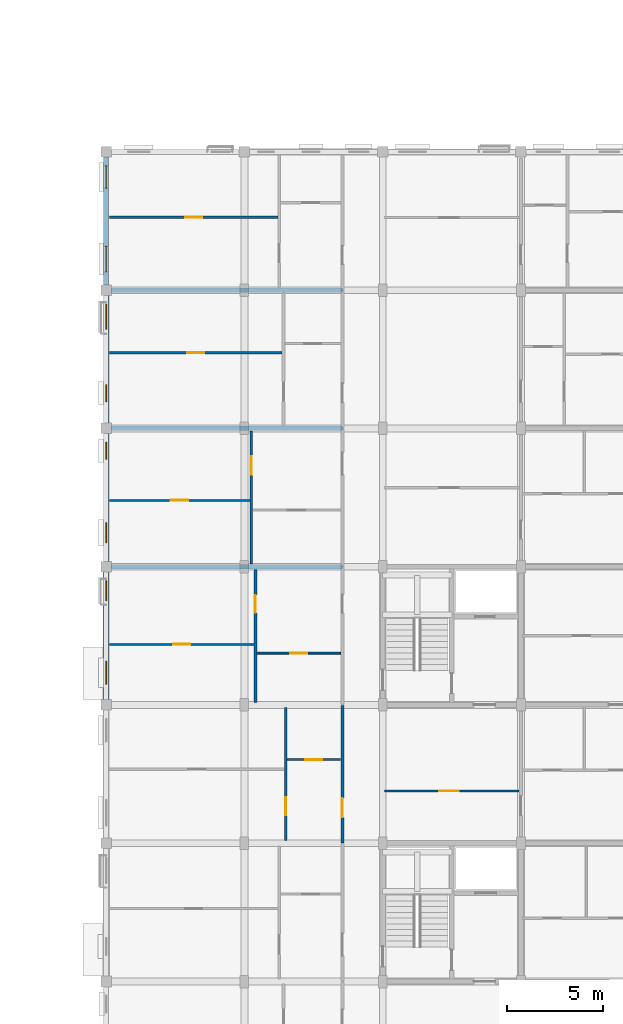
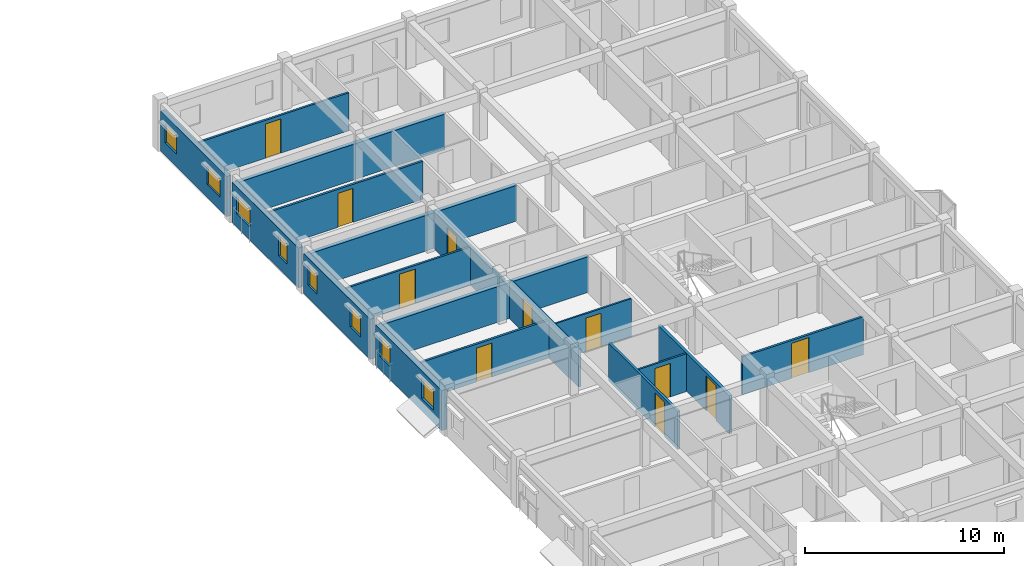
# One storey, part 56 of 75: 18 walls, 11 doors, 8 windows, 19 openings.
"""IFC4 building model written with IfcOpenShell, lengths in metres."""

from ifc_helpers import new_model, si_unit, direction, frame, frame_2d, origin, place, context, subcontext, project, spatial, rectangle, extrude, material, layer, layer_set, type_object, element, fill, save


model = new_model("IFC4")

# Units and contexts
model_context = context("Model", 3, precision=1e-05, world=origin(), true_north=direction((0.0, 1.0)))
body_context = subcontext(model_context, "Body", "Model", "MODEL_VIEW")
ifc_project = project(units=[si_unit("LENGTHUNIT", "METRE"), si_unit("AREAUNIT", "SQUARE_METRE"), si_unit("VOLUMEUNIT", "CUBIC_METRE"), si_unit("PLANEANGLEUNIT", "RADIAN"), si_unit("MASSUNIT", "GRAM", prefix="KILO"), si_unit("THERMODYNAMICTEMPERATUREUNIT", "KELVIN"), si_unit("POWERUNIT", "WATT")], contexts=[model_context])

# Site, building, storey
site_placement = place(None, origin())
site = spatial("IfcSite", under=ifc_project, at=site_placement, CompositionType="ELEMENT")
building_placement = place(site_placement, origin())
building = spatial("IfcBuilding", under=site, at=building_placement, Name="Tavuni Mirador Residences", CompositionType="ELEMENT")
storey_placement = place(building_placement, frame((0.0, 0.0, 20.25)))
storey = spatial("IfcBuildingStorey", under=building, at=storey_placement, Name="L06", CompositionType="ELEMENT", Elevation=20.25)

# Wall, opening, door
ifc_material_1 = material(Name="Precast concrete C40/50", Category="concrete")
ifc_layer_1 = layer(ifc_material_1, 0.1650390625, Name="Precast concrete C40/50", Category="concrete")
ifc_layer_set_1 = layer_set([ifc_layer_1], Name="Precast concrete C40/50")
wall_type_1 = type_object("IfcWallType", Name="WT-CORR165", PredefinedType="PARTITIONING", material=ifc_layer_set_1)
wall_1_placement = place(storey_placement, frame((102.300048828125, 100.820068359375, 0.0), z_axis=(0.0, 0.0, 1.0), x_axis=(0.0, 1.0, 0.0)))
wall_1 = element("IfcWall", 1, at=wall_1_placement, inside=storey, type_object=wall_type_1, Name="CORW-BLK-D-L06-0-02", PredefinedType="PARTITIONING", context=body_context, shape_type="SweptSolid", body=[
    extrude(rectangle(XDim=7.159912109375, YDim=0.1650390625, at=frame_2d((3.580078125, 0.0))), origin(), (0.0, 0.0, 1.0), 2.324951171875),
])
opening_1_placement = place(wall_1_placement, frame((1.330078125, 0.0, 0.0)))
opening_1 = element("IfcOpeningElement", 2, at=opening_1_placement, cuts=wall_1, Name="Opening D-03", PredefinedType="OPENING", context=body_context, shape_type="SweptSolid", body=[
    extrude(rectangle(XDim=1.0, YDim=2.14990234375, at=frame_2d((0.5, 1.074951171875))), frame((0.0, 0.092529296875, 0.0), z_axis=(0.0, -1.0, 0.0), x_axis=(1.0, 0.0, 0.0)), (0.0, 0.0, 1.0), 0.18505859375),
])
ifc_material_2 = material(Name="Solid core iroko timber", Category="wood")
door_type_1 = type_object("IfcDoorType", Name="DT-FD60-1000", OperationType="NOTDEFINED", PredefinedType="DOOR", material=ifc_material_2)
door_1_placement = place(opening_1_placement, origin())
door_1 = element("IfcDoor", 3, at=door_1_placement, inside=storey, type_object=door_type_1, Name="DR-2883", OperationType="SINGLE_SWING_RIGHT", OverallHeight=2.14990234375, OverallWidth=1.0, PredefinedType="DOOR", context=body_context, shape_type="SweptSolid", body=[
    extrude(rectangle(XDim=1.0, YDim=2.14990234375, at=frame_2d((0.5, 1.074951171875))), frame((0.0, 0.02490234375, 0.0), z_axis=(0.0, -1.0, 0.0), x_axis=(1.0, 0.0, 0.0)), (0.0, 0.0, 1.0), 0.050048828125),
])
fill(opening_1, door_1)

# Wall, openings, windows
ifc_material_3 = material(Name="Sgraffito lime-rendered precast concrete C40/50", Category="concrete")
ifc_layer_2 = layer(ifc_material_3, 0.2548828125, Name="Sgraffito lime-rendered precast concrete C40/50", Category="concrete")
ifc_layer_set_2 = layer_set([ifc_layer_2], Name="Sgraffito lime-rendered precast concrete C40/50")
wall_type_2 = type_object("IfcWallType", Name="WT-EXT-PC255", PredefinedType="SOLIDWALL", material=ifc_layer_set_2)
wall_2_placement = place(storey_placement, frame((90.0, 136.52490234375, 0.0), z_axis=(0.0, 0.0, 1.0), x_axis=(0.0, -1.0, 0.0)))
wall_2 = element("IfcWall", 4, at=wall_2_placement, inside=storey, type_object=wall_type_2, Name="EW-BLK-D-L06-W06", PredefinedType="SOLIDWALL", context=body_context, shape_type="SweptSolid", body=[
    extrude(rectangle(XDim=6.64990234375, YDim=0.2548828125, at=frame_2d((3.324951171875, 0.0))), origin(), (0.0, 0.0, 1.0), 2.4599609375),
])
opening_2_placement = place(wall_2_placement, frame((0.449951171875, 0.0, 0.780029296875)))
opening_2 = element("IfcOpeningElement", 5, at=opening_2_placement, cuts=wall_2, Name="Opening WN-05", PredefinedType="OPENING", context=body_context, shape_type="SweptSolid", body=[
    extrude(rectangle(XDim=1.159912109375, YDim=1.14990234375, at=frame_2d((0.580078125, 0.574951171875))), frame((0.0, 0.137451171875, 0.0), z_axis=(0.0, -1.0, 0.0), x_axis=(1.0, 0.0, 0.0)), (0.0, 0.0, 1.0), 0.27490234375),
])
opening_3_placement = place(wall_2_placement, frame((4.64990234375, 0.0, 0.780029296875)))
opening_3 = element("IfcOpeningElement", 6, at=opening_3_placement, cuts=wall_2, Name="Opening WN-07", PredefinedType="OPENING", context=body_context, shape_type="SweptSolid", body=[
    extrude(rectangle(XDim=1.320068359375, YDim=1.14990234375, at=frame_2d((0.66015625, 0.574951171875))), frame((0.0, 0.137451171875, 0.0), z_axis=(0.0, -1.0, 0.0), x_axis=(1.0, 0.0, 0.0)), (0.0, 0.0, 1.0), 0.27490234375),
])
ifc_material_4 = material(Name="Laminated solar-control glass", Category="glass")
window_type_1 = type_object("IfcWindowType", Name="WNT-05", PartitioningType="SINGLE_PANEL", PredefinedType="WINDOW", material=ifc_material_4)
window_1_placement = place(opening_2_placement, origin())
window_1 = element("IfcWindow", 7, at=window_1_placement, inside=storey, type_object=window_type_1, Name="WIN-1678", OverallHeight=1.14990234375, OverallWidth=1.159912109375, PartitioningType="SINGLE_PANEL", PredefinedType="WINDOW", context=body_context, shape_type="SweptSolid", body=[
    extrude(rectangle(XDim=1.159912109375, YDim=1.14990234375, at=frame_2d((0.580078125, 0.574951171875))), frame((0.0, 0.030029296875, 0.0), z_axis=(0.0, -1.0, 0.0), x_axis=(1.0, 0.0, 0.0)), (0.0, 0.0, 1.0), 0.06005859375),
])
fill(opening_2, window_1)
window_type_2 = type_object("IfcWindowType", Name="WNT-07", PartitioningType="SINGLE_PANEL", PredefinedType="WINDOW", material=ifc_material_4)
window_2_placement = place(opening_3_placement, origin())
window_2 = element("IfcWindow", 8, at=window_2_placement, inside=storey, type_object=window_type_2, Name="WIN-1679", OverallHeight=1.14990234375, OverallWidth=1.320068359375, PartitioningType="SINGLE_PANEL", PredefinedType="WINDOW", context=body_context, shape_type="SweptSolid", body=[
    extrude(rectangle(XDim=1.320068359375, YDim=1.14990234375, at=frame_2d((0.66015625, 0.574951171875))), frame((0.0, 0.030029296875, 0.0), z_axis=(0.0, -1.0, 0.0), x_axis=(1.0, 0.0, 0.0)), (0.0, 0.0, 1.0), 0.06005859375),
])
fill(opening_3, window_2)

ifc_layer_3 = layer(ifc_material_3, 0.27490234375, Name="Sgraffito lime-rendered precast concrete C40/50", Category="concrete")
ifc_layer_set_3 = layer_set([ifc_layer_3], Name="Sgraffito lime-rendered precast concrete C40/50")
wall_type_3 = type_object("IfcWallType", Name="WT-EXT-PC275", PredefinedType="SOLIDWALL", material=ifc_layer_set_3)
wall_3_placement = place(storey_placement, frame((90.0, 129.324951171875, 0.0), z_axis=(0.0, 0.0, 1.0), x_axis=(0.0, -1.0, 0.0)))
wall_3 = element("IfcWall", 9, at=wall_3_placement, inside=storey, type_object=wall_type_3, Name="EW-BLK-D-L06-W05", PredefinedType="SOLIDWALL", context=body_context, shape_type="SweptSolid", body=[
    extrude(rectangle(XDim=6.64990234375, YDim=0.27490234375, at=frame_2d((3.324951171875, 0.0))), origin(), (0.0, 0.0, 1.0), 2.4599609375),
])
opening_4_placement = place(wall_3_placement, frame((0.449951171875, 0.0, 0.780029296875)))
opening_4 = element("IfcOpeningElement", 10, at=opening_4_placement, cuts=wall_3, Name="Opening WN-07", PredefinedType="OPENING", context=body_context, shape_type="SweptSolid", body=[
    extrude(rectangle(XDim=1.320068359375, YDim=1.14990234375, at=frame_2d((0.66015625, 0.574951171875))), frame((0.0, 0.1474609375, 0.0), z_axis=(0.0, -1.0, 0.0), x_axis=(1.0, 0.0, 0.0)), (0.0, 0.0, 1.0), 0.294921875),
])
opening_5_placement = place(wall_3_placement, frame((4.64990234375, 0.0, 0.780029296875)))
opening_5 = element("IfcOpeningElement", 11, at=opening_5_placement, cuts=wall_3, Name="Opening WN-09", PredefinedType="OPENING", context=body_context, shape_type="SweptSolid", body=[
    extrude(rectangle(XDim=0.8798828125, YDim=1.260009765625, at=frame_2d((0.43994140625, 0.6298828125))), frame((0.0, 0.1474609375, 0.0), z_axis=(0.0, -1.0, 0.0), x_axis=(1.0, 0.0, 0.0)), (0.0, 0.0, 1.0), 0.294921875),
])
window_3_placement = place(opening_4_placement, origin())
window_3 = element("IfcWindow", 12, at=window_3_placement, inside=storey, type_object=window_type_2, Name="WIN-1680", OverallHeight=1.14990234375, OverallWidth=1.320068359375, PartitioningType="SINGLE_PANEL", PredefinedType="WINDOW", context=body_context, shape_type="SweptSolid", body=[
    extrude(rectangle(XDim=1.320068359375, YDim=1.14990234375, at=frame_2d((0.66015625, 0.574951171875))), frame((0.0, 0.030029296875, 0.0), z_axis=(0.0, -1.0, 0.0), x_axis=(1.0, 0.0, 0.0)), (0.0, 0.0, 1.0), 0.06005859375),
])
fill(opening_4, window_3)
window_type_3 = type_object("IfcWindowType", Name="WNT-09", PartitioningType="SINGLE_PANEL", PredefinedType="WINDOW", material=ifc_material_4)
window_4_placement = place(opening_5_placement, origin())
window_4 = element("IfcWindow", 13, at=window_4_placement, inside=storey, type_object=window_type_3, Name="WIN-1681", OverallHeight=1.260009765625, OverallWidth=0.8798828125, PartitioningType="SINGLE_PANEL", PredefinedType="WINDOW", context=body_context, shape_type="SweptSolid", body=[
    extrude(rectangle(XDim=0.8798828125, YDim=1.260009765625, at=frame_2d((0.43994140625, 0.6298828125))), frame((0.0, 0.030029296875, 0.0), z_axis=(0.0, -1.0, 0.0), x_axis=(1.0, 0.0, 0.0)), (0.0, 0.0, 1.0), 0.06005859375),
])
fill(opening_5, window_4)

ifc_layer_4 = layer(ifc_material_3, 0.2900390625, Name="Sgraffito lime-rendered precast concrete C40/50", Category="concrete")
ifc_layer_set_4 = layer_set([ifc_layer_4], Name="Sgraffito lime-rendered precast concrete C40/50")
wall_type_4 = type_object("IfcWallType", Name="WT-EXT-PC290", PredefinedType="SOLIDWALL", material=ifc_layer_set_4)
wall_4_placement = place(storey_placement, frame((90.0, 122.125, 0.0), z_axis=(0.0, 0.0, 1.0), x_axis=(0.0, -1.0, 0.0)))
wall_4 = element("IfcWall", 14, at=wall_4_placement, inside=storey, type_object=wall_type_4, Name="EW-BLK-D-L06-W04", PredefinedType="SOLIDWALL", context=body_context, shape_type="SweptSolid", body=[
    extrude(rectangle(XDim=6.64990234375, YDim=0.2900390625, at=frame_2d((3.324951171875, 0.0))), origin(), (0.0, 0.0, 1.0), 2.4599609375),
])
opening_6_placement = place(wall_4_placement, frame((0.449951171875, 0.0, 0.780029296875)))
opening_6 = element("IfcOpeningElement", 15, at=opening_6_placement, cuts=wall_4, Name="Opening WN-09", PredefinedType="OPENING", context=body_context, shape_type="SweptSolid", body=[
    extrude(rectangle(XDim=0.8798828125, YDim=1.260009765625, at=frame_2d((0.43994140625, 0.6298828125))), frame((0.0, 0.155029296875, 0.0), z_axis=(0.0, -1.0, 0.0), x_axis=(1.0, 0.0, 0.0)), (0.0, 0.0, 1.0), 0.31005859375),
])
opening_7_placement = place(wall_4_placement, frame((4.64990234375, 0.0, 0.780029296875)))
opening_7 = element("IfcOpeningElement", 16, at=opening_7_placement, cuts=wall_4, Name="Opening WN-11", PredefinedType="OPENING", context=body_context, shape_type="SweptSolid", body=[
    extrude(rectangle(XDim=1.0400390625, YDim=1.260009765625, at=frame_2d((0.52001953125, 0.6298828125))), frame((0.0, 0.155029296875, 0.0), z_axis=(0.0, -1.0, 0.0), x_axis=(1.0, 0.0, 0.0)), (0.0, 0.0, 1.0), 0.31005859375),
])
window_5_placement = place(opening_6_placement, origin())
window_5 = element("IfcWindow", 17, at=window_5_placement, inside=storey, type_object=window_type_3, Name="WIN-1682", OverallHeight=1.260009765625, OverallWidth=0.8798828125, PartitioningType="SINGLE_PANEL", PredefinedType="WINDOW", context=body_context, shape_type="SweptSolid", body=[
    extrude(rectangle(XDim=0.8798828125, YDim=1.260009765625, at=frame_2d((0.43994140625, 0.6298828125))), frame((0.0, 0.030029296875, 0.0), z_axis=(0.0, -1.0, 0.0), x_axis=(1.0, 0.0, 0.0)), (0.0, 0.0, 1.0), 0.06005859375),
])
fill(opening_6, window_5)
window_type_4 = type_object("IfcWindowType", Name="WNT-11", PartitioningType="SINGLE_PANEL", PredefinedType="WINDOW", material=ifc_material_4)
window_6_placement = place(opening_7_placement, origin())
window_6 = element("IfcWindow", 18, at=window_6_placement, inside=storey, type_object=window_type_4, Name="WIN-1683", OverallHeight=1.260009765625, OverallWidth=1.0400390625, PartitioningType="SINGLE_PANEL", PredefinedType="WINDOW", context=body_context, shape_type="SweptSolid", body=[
    extrude(rectangle(XDim=1.0400390625, YDim=1.260009765625, at=frame_2d((0.52001953125, 0.6298828125))), frame((0.0, 0.030029296875, 0.0), z_axis=(0.0, -1.0, 0.0), x_axis=(1.0, 0.0, 0.0)), (0.0, 0.0, 1.0), 0.06005859375),
])
fill(opening_7, window_6)

ifc_layer_5 = layer(ifc_material_3, 0.304931640625, Name="Sgraffito lime-rendered precast concrete C40/50", Category="concrete")
ifc_layer_set_5 = layer_set([ifc_layer_5], Name="Sgraffito lime-rendered precast concrete C40/50")
wall_type_5 = type_object("IfcWallType", Name="WT-EXT-PC305", PredefinedType="SOLIDWALL", material=ifc_layer_set_5)
wall_5_placement = place(storey_placement, frame((90.0, 114.925048828125, 0.0), z_axis=(0.0, 0.0, 1.0), x_axis=(0.0, -1.0, 0.0)))
wall_5 = element("IfcWall", 19, at=wall_5_placement, inside=storey, type_object=wall_type_5, Name="EW-BLK-D-L06-W03", PredefinedType="SOLIDWALL", context=body_context, shape_type="SweptSolid", body=[
    extrude(rectangle(XDim=6.650146484375, YDim=0.304931640625, at=frame_2d((3.3251953125, 0.0))), origin(), (0.0, 0.0, 1.0), 2.4599609375),
])
opening_8_placement = place(wall_5_placement, frame((0.449951171875, 0.0, 0.780029296875)))
opening_8 = element("IfcOpeningElement", 20, at=opening_8_placement, cuts=wall_5, Name="Opening WN-11", PredefinedType="OPENING", context=body_context, shape_type="SweptSolid", body=[
    extrude(rectangle(XDim=1.0400390625, YDim=1.260009765625, at=frame_2d((0.52001953125, 0.6298828125))), frame((0.0, 0.16259765625, 0.0), z_axis=(0.0, -1.0, 0.0), x_axis=(1.0, 0.0, 0.0)), (0.0, 0.0, 1.0), 0.324951171875),
])
opening_9_placement = place(wall_5_placement, frame((4.64990234375, 0.0, 0.780029296875)))
opening_9 = element("IfcOpeningElement", 21, at=opening_9_placement, cuts=wall_5, Name="Opening WN-13", PredefinedType="OPENING", context=body_context, shape_type="SweptSolid", body=[
    extrude(rectangle(XDim=1.199951171875, YDim=1.260009765625, at=frame_2d((0.60009765625, 0.6298828125))), frame((0.0, 0.16259765625, 0.0), z_axis=(0.0, -1.0, 0.0), x_axis=(1.0, 0.0, 0.0)), (0.0, 0.0, 1.0), 0.324951171875),
])
window_7_placement = place(opening_8_placement, origin())
window_7 = element("IfcWindow", 22, at=window_7_placement, inside=storey, type_object=window_type_4, Name="WIN-1684", OverallHeight=1.260009765625, OverallWidth=1.0400390625, PartitioningType="SINGLE_PANEL", PredefinedType="WINDOW", context=body_context, shape_type="SweptSolid", body=[
    extrude(rectangle(XDim=1.0400390625, YDim=1.260009765625, at=frame_2d((0.52001953125, 0.6298828125))), frame((0.0, 0.030029296875, 0.0), z_axis=(0.0, -1.0, 0.0), x_axis=(1.0, 0.0, 0.0)), (0.0, 0.0, 1.0), 0.06005859375),
])
fill(opening_8, window_7)
window_type_5 = type_object("IfcWindowType", Name="WNT-13", PartitioningType="SINGLE_PANEL", PredefinedType="WINDOW", material=ifc_material_4)
window_8_placement = place(opening_9_placement, origin())
window_8 = element("IfcWindow", 23, at=window_8_placement, inside=storey, type_object=window_type_5, Name="WIN-1685", OverallHeight=1.260009765625, OverallWidth=1.199951171875, PartitioningType="SINGLE_PANEL", PredefinedType="WINDOW", context=body_context, shape_type="SweptSolid", body=[
    extrude(rectangle(XDim=1.199951171875, YDim=1.260009765625, at=frame_2d((0.60009765625, 0.6298828125))), frame((0.0, 0.030029296875, 0.0), z_axis=(0.0, -1.0, 0.0), x_axis=(1.0, 0.0, 0.0)), (0.0, 0.0, 1.0), 0.06005859375),
])
fill(opening_9, window_8)

# Wall, opening, door
ifc_material_5 = material(Name="Acoustic gypsum and concrete block partition", Category="concrete")
ifc_layer_6 = layer(ifc_material_5, 0.094970703125, Name="Acoustic gypsum and concrete block partition", Category="concrete")
ifc_layer_set_6 = layer_set([ifc_layer_6], Name="Acoustic gypsum and concrete block partition")
wall_type_6 = type_object("IfcWallType", Name="WT-PART095", PredefinedType="PARTITIONING", material=ifc_layer_set_6)
wall_6_placement = place(storey_placement, frame((97.840087890625, 110.699951171875, 0.0), z_axis=(0.0, 0.0, 1.0), x_axis=(1.0, 0.0, 0.0)))
wall_6 = element("IfcWall", 24, at=wall_6_placement, inside=storey, type_object=wall_type_6, Name="PW-BLK-D-L06-W03-IN1", PredefinedType="PARTITIONING", context=body_context, shape_type="SweptSolid", body=[
    extrude(rectangle(XDim=4.369873046875, YDim=0.094970703125, at=frame_2d((2.18505859375, 0.0))), origin(), (0.0, 0.0, 1.0), 2.324951171875),
])
opening_10_placement = place(wall_6_placement, frame((1.75, 0.0, 0.0)))
opening_10 = element("IfcOpeningElement", 25, at=opening_10_placement, cuts=wall_6, Name="Opening D-10", PredefinedType="OPENING", context=body_context, shape_type="SweptSolid", body=[
    extrude(rectangle(XDim=0.8701171875, YDim=2.050048828125, at=frame_2d((0.43505859375, 1.02490234375))), frame((0.0, 0.0576171875, 0.0), z_axis=(0.0, -1.0, 0.0), x_axis=(1.0, 0.0, 0.0)), (0.0, 0.0, 1.0), 0.114990234375),
])
door_type_2 = type_object("IfcDoorType", Name="DT-WC870", OperationType="NOTDEFINED", PredefinedType="DOOR", material=ifc_material_2)
door_2_placement = place(opening_10_placement, origin())
door_2 = element("IfcDoor", 26, at=door_2_placement, inside=storey, type_object=door_type_2, Name="DR-4528", OperationType="SINGLE_SWING_LEFT", OverallHeight=2.050048828125, OverallWidth=0.8701171875, PredefinedType="DOOR", context=body_context, shape_type="SweptSolid", body=[
    extrude(rectangle(XDim=0.8701171875, YDim=2.050048828125, at=frame_2d((0.43505859375, 1.02490234375))), frame((0.0, 0.02490234375, 0.0), z_axis=(0.0, -1.0, 0.0), x_axis=(1.0, 0.0, 0.0)), (0.0, 0.0, 1.0), 0.050048828125),
])
fill(opening_10, door_2)

ifc_layer_7 = layer(ifc_material_5, 0.10498046875, Name="Acoustic gypsum and concrete block partition", Category="concrete")
ifc_layer_set_7 = layer_set([ifc_layer_7], Name="Acoustic gypsum and concrete block partition")
wall_type_7 = type_object("IfcWallType", Name="WT-PART105", PredefinedType="PARTITIONING", material=ifc_layer_set_7)
wall_7_placement = place(storey_placement, frame((99.419921875, 105.14990234375, 0.0), z_axis=(0.0, 0.0, 1.0), x_axis=(1.0, 0.0, 0.0)))
wall_7 = element("IfcWall", 27, at=wall_7_placement, inside=storey, type_object=wall_type_7, Name="PW-BLK-D-L06-W02-IN1", PredefinedType="PARTITIONING", context=body_context, shape_type="SweptSolid", body=[
    extrude(rectangle(XDim=2.7900390625, YDim=0.10498046875, at=frame_2d((1.39501953125, 0.0))), origin(), (0.0, 0.0, 1.0), 2.324951171875),
])
opening_11_placement = place(wall_7_placement, frame((0.945068359375, 0.0, 0.0)))
opening_11 = element("IfcOpeningElement", 28, at=opening_11_placement, cuts=wall_7, Name="Opening D-09", PredefinedType="OPENING", context=body_context, shape_type="SweptSolid", body=[
    extrude(rectangle(XDim=0.89990234375, YDim=2.050048828125, at=frame_2d((0.449951171875, 1.02490234375))), frame((0.0, 0.0625, 0.0), z_axis=(0.0, -1.0, 0.0), x_axis=(1.0, 0.0, 0.0)), (0.0, 0.0, 1.0), 0.125),
])
door_type_3 = type_object("IfcDoorType", Name="DT-WC900", OperationType="NOTDEFINED", PredefinedType="DOOR", material=ifc_material_2)
door_3_placement = place(opening_11_placement, origin())
door_3 = element("IfcDoor", 29, at=door_3_placement, inside=storey, type_object=door_type_3, Name="DR-4523", OperationType="SINGLE_SWING_RIGHT", OverallHeight=2.050048828125, OverallWidth=0.89990234375, PredefinedType="DOOR", context=body_context, shape_type="SweptSolid", body=[
    extrude(rectangle(XDim=0.89990234375, YDim=2.050048828125, at=frame_2d((0.449951171875, 1.02490234375))), frame((0.0, 0.02490234375, 0.0), z_axis=(0.0, -1.0, 0.0), x_axis=(1.0, 0.0, 0.0)), (0.0, 0.0, 1.0), 0.050048828125),
])
fill(opening_11, door_3)

ifc_layer_8 = layer(ifc_material_5, 0.114990234375, Name="Acoustic gypsum and concrete block partition", Category="concrete")
ifc_layer_set_8 = layer_set([ifc_layer_8], Name="Acoustic gypsum and concrete block partition")
wall_type_8 = type_object("IfcWallType", Name="WT-PART115", PredefinedType="PARTITIONING", material=ifc_layer_set_8)
wall_8_placement = place(storey_placement, frame((90.175048828125, 118.64990234375, 0.0), z_axis=(0.0, 0.0, 1.0), x_axis=(1.0, 0.0, 0.0)))
wall_8 = element("IfcWall", 30, at=wall_8_placement, inside=storey, type_object=wall_type_8, Name="PW-BLK-D-L06-W04-OUT", PredefinedType="PARTITIONING", context=body_context, shape_type="SweptSolid", body=[
    extrude(rectangle(XDim=7.304931640625, YDim=0.114990234375, at=frame_2d((3.65234375, 0.0))), origin(), (0.0, 0.0, 1.0), 2.324951171875),
])
opening_12_placement = place(wall_8_placement, frame((3.202392578125, 0.0, 0.0)))
opening_12 = element("IfcOpeningElement", 31, at=opening_12_placement, cuts=wall_8, Name="Opening D-07", PredefinedType="OPENING", context=body_context, shape_type="SweptSolid", body=[
    extrude(rectangle(XDim=0.89990234375, YDim=2.10009765625, at=frame_2d((0.449951171875, 1.050048828125))), frame((0.0, 0.0673828125, 0.0), z_axis=(0.0, -1.0, 0.0), x_axis=(1.0, 0.0, 0.0)), (0.0, 0.0, 1.0), 0.135009765625),
])
door_type_4 = type_object("IfcDoorType", Name="DT-BED900", OperationType="NOTDEFINED", PredefinedType="DOOR", material=ifc_material_2)
door_4_placement = place(opening_12_placement, origin())
door_4 = element("IfcDoor", 32, at=door_4_placement, inside=storey, type_object=door_type_4, Name="DR-4532", OperationType="SINGLE_SWING_LEFT", OverallHeight=2.10009765625, OverallWidth=0.89990234375, PredefinedType="DOOR", context=body_context, shape_type="SweptSolid", body=[
    extrude(rectangle(XDim=0.89990234375, YDim=2.10009765625, at=frame_2d((0.449951171875, 1.050048828125))), frame((0.0, 0.02490234375, 0.0), z_axis=(0.0, -1.0, 0.0), x_axis=(1.0, 0.0, 0.0)), (0.0, 0.0, 1.0), 0.050048828125),
])
fill(opening_12, door_4)

wall_9_placement = place(storey_placement, frame((90.175048828125, 133.39990234375, 0.0), z_axis=(0.0, 0.0, 1.0), x_axis=(1.0, 0.0, 0.0)))
wall_9 = element("IfcWall", 33, at=wall_9_placement, inside=storey, type_object=wall_type_8, Name="PW-BLK-D-L06-W06-OUT", PredefinedType="PARTITIONING", context=body_context, shape_type="SweptSolid", body=[
    extrude(rectangle(XDim=8.77490234375, YDim=0.114990234375, at=frame_2d((4.387451171875, 0.0))), origin(), (0.0, 0.0, 1.0), 2.324951171875),
])
opening_13_placement = place(wall_9_placement, frame((3.9375, 0.0, 0.0)))
opening_13 = element("IfcOpeningElement", 34, at=opening_13_placement, cuts=wall_9, Name="Opening D-07", PredefinedType="OPENING", context=body_context, shape_type="SweptSolid", body=[
    extrude(rectangle(XDim=0.89990234375, YDim=2.10009765625, at=frame_2d((0.449951171875, 1.050048828125))), frame((0.0, 0.0673828125, 0.0), z_axis=(0.0, -1.0, 0.0), x_axis=(1.0, 0.0, 0.0)), (0.0, 0.0, 1.0), 0.135009765625),
])
door_5_placement = place(opening_13_placement, origin())
door_5 = element("IfcDoor", 35, at=door_5_placement, inside=storey, type_object=door_type_4, Name="DR-4544", OperationType="SINGLE_SWING_LEFT", OverallHeight=2.10009765625, OverallWidth=0.89990234375, PredefinedType="DOOR", context=body_context, shape_type="SweptSolid", body=[
    extrude(rectangle(XDim=0.89990234375, YDim=2.10009765625, at=frame_2d((0.449951171875, 1.050048828125))), frame((0.0, 0.02490234375, 0.0), z_axis=(0.0, -1.0, 0.0), x_axis=(1.0, 0.0, 0.0)), (0.0, 0.0, 1.0), 0.050048828125),
])
fill(opening_13, door_5)

ifc_layer_9 = layer(ifc_material_5, 0.125, Name="Acoustic gypsum and concrete block partition", Category="concrete")
ifc_layer_set_9 = layer_set([ifc_layer_9], Name="Acoustic gypsum and concrete block partition")
wall_type_9 = type_object("IfcWallType", Name="WT-PART125", PredefinedType="PARTITIONING", material=ifc_layer_set_9)
wall_10_placement = place(storey_placement, frame((104.489990234375, 103.52001953125, 0.0), z_axis=(0.0, 0.0, 1.0), x_axis=(1.0, 0.0, 0.0)))
wall_10 = element("IfcWall", 36, at=wall_10_placement, inside=storey, type_object=wall_type_9, Name="PW-SPN-BLK-D-L06-02", PredefinedType="PARTITIONING", context=body_context, shape_type="SweptSolid", body=[
    extrude(rectangle(XDim=7.02001953125, YDim=0.125, at=frame_2d((3.510009765625, 0.0))), origin(), (0.0, 0.0, 1.0), 2.324951171875),
])
opening_14_placement = place(wall_10_placement, frame((2.85009765625, 0.0, 0.0)))
opening_14 = element("IfcOpeningElement", 37, at=opening_14_placement, cuts=wall_10, Name="Opening D-13", PredefinedType="OPENING", context=body_context, shape_type="SweptSolid", body=[
    extrude(rectangle(XDim=1.02001953125, YDim=2.14990234375, at=frame_2d((0.510009765625, 1.074951171875))), frame((0.0, 0.072509765625, 0.0), z_axis=(0.0, -1.0, 0.0), x_axis=(1.0, 0.0, 0.0)), (0.0, 0.0, 1.0), 0.14501953125),
])
door_type_5 = type_object("IfcDoorType", Name="DT-MTG1020", OperationType="NOTDEFINED", PredefinedType="DOOR", material=ifc_material_2)
door_6_placement = place(opening_14_placement, origin())
door_6 = element("IfcDoor", 38, at=door_6_placement, inside=storey, type_object=door_type_5, Name="DR-4521", OperationType="SINGLE_SWING_LEFT", OverallHeight=2.14990234375, OverallWidth=1.02001953125, PredefinedType="DOOR", context=body_context, shape_type="SweptSolid", body=[
    extrude(rectangle(XDim=1.02001953125, YDim=2.14990234375, at=frame_2d((0.510009765625, 1.074951171875))), frame((0.0, 0.02490234375, 0.0), z_axis=(0.0, -1.0, 0.0), x_axis=(1.0, 0.0, 0.0)), (0.0, 0.0, 1.0), 0.050048828125),
])
fill(opening_14, door_6)

wall_11_placement = place(storey_placement, frame((90.175048828125, 111.14990234375, 0.0), z_axis=(0.0, 0.0, 1.0), x_axis=(1.0, 0.0, 0.0)))
wall_11 = element("IfcWall", 39, at=wall_11_placement, inside=storey, type_object=wall_type_9, Name="PW-BLK-D-L06-W03-OUT", PredefinedType="PARTITIONING", context=body_context, shape_type="SweptSolid", body=[
    extrude(rectangle(XDim=7.52490234375, YDim=0.125, at=frame_2d((3.762451171875, 0.0))), origin(), (0.0, 0.0, 1.0), 2.324951171875),
])
opening_15_placement = place(wall_11_placement, frame((3.322509765625, 0.0, 0.0)))
opening_15 = element("IfcOpeningElement", 40, at=opening_15_placement, cuts=wall_11, Name="Opening D-08", PredefinedType="OPENING", context=body_context, shape_type="SweptSolid", body=[
    extrude(rectangle(XDim=0.8798828125, YDim=2.080078125, at=frame_2d((0.43994140625, 1.0400390625))), frame((0.0, 0.072509765625, 0.0), z_axis=(0.0, -1.0, 0.0), x_axis=(1.0, 0.0, 0.0)), (0.0, 0.0, 1.0), 0.14501953125),
])
door_type_6 = type_object("IfcDoorType", Name="DT-BED880", OperationType="NOTDEFINED", PredefinedType="DOOR", material=ifc_material_2)
door_7_placement = place(opening_15_placement, origin())
door_7 = element("IfcDoor", 41, at=door_7_placement, inside=storey, type_object=door_type_6, Name="DR-4527", OperationType="SINGLE_SWING_RIGHT", OverallHeight=2.080078125, OverallWidth=0.8798828125, PredefinedType="DOOR", context=body_context, shape_type="SweptSolid", body=[
    extrude(rectangle(XDim=0.8798828125, YDim=2.080078125, at=frame_2d((0.43994140625, 1.0400390625))), frame((0.0, 0.02490234375, 0.0), z_axis=(0.0, -1.0, 0.0), x_axis=(1.0, 0.0, 0.0)), (0.0, 0.0, 1.0), 0.050048828125),
])
fill(opening_15, door_7)

wall_12_placement = place(storey_placement, frame((90.175048828125, 126.35009765625, 0.0), z_axis=(0.0, 0.0, 1.0), x_axis=(1.0, 0.0, 0.0)))
wall_12 = element("IfcWall", 42, at=wall_12_placement, inside=storey, type_object=wall_type_9, Name="PW-BLK-D-L06-W05-OUT", PredefinedType="PARTITIONING", context=body_context, shape_type="SweptSolid", body=[
    extrude(rectangle(XDim=8.994873046875, YDim=0.125, at=frame_2d((4.49755859375, 0.0))), origin(), (0.0, 0.0, 1.0), 2.324951171875),
])
opening_16_placement = place(wall_12_placement, frame((4.0576171875, 0.0, 0.0)))
opening_16 = element("IfcOpeningElement", 43, at=opening_16_placement, cuts=wall_12, Name="Opening D-08", PredefinedType="OPENING", context=body_context, shape_type="SweptSolid", body=[
    extrude(rectangle(XDim=0.8798828125, YDim=2.080078125, at=frame_2d((0.43994140625, 1.0400390625))), frame((0.0, 0.072509765625, 0.0), z_axis=(0.0, -1.0, 0.0), x_axis=(1.0, 0.0, 0.0)), (0.0, 0.0, 1.0), 0.14501953125),
])
door_8_placement = place(opening_16_placement, origin())
door_8 = element("IfcDoor", 44, at=door_8_placement, inside=storey, type_object=door_type_6, Name="DR-4537", OperationType="SINGLE_SWING_RIGHT", OverallHeight=2.080078125, OverallWidth=0.8798828125, PredefinedType="DOOR", context=body_context, shape_type="SweptSolid", body=[
    extrude(rectangle(XDim=0.8798828125, YDim=2.080078125, at=frame_2d((0.43994140625, 1.0400390625))), frame((0.0, 0.02490234375, 0.0), z_axis=(0.0, -1.0, 0.0), x_axis=(1.0, 0.0, 0.0)), (0.0, 0.0, 1.0), 0.050048828125),
])
fill(opening_16, door_8)

ifc_layer_10 = layer(ifc_material_5, 0.139892578125, Name="Acoustic gypsum and concrete block partition", Category="concrete")
ifc_layer_set_10 = layer_set([ifc_layer_10], Name="Acoustic gypsum and concrete block partition")
wall_type_10 = type_object("IfcWallType", Name="WT-PART140", PredefinedType="PARTITIONING", material=ifc_layer_set_10)
wall_13_placement = place(storey_placement, frame((99.35009765625, 100.93994140625, 0.0), z_axis=(0.0, 0.0, 1.0), x_axis=(0.0, 1.0, 0.0)))
wall_13 = element("IfcWall", 45, at=wall_13_placement, inside=storey, type_object=wall_type_10, Name="PW-BLK-D-L06-W02-MID", PredefinedType="PARTITIONING", context=body_context, shape_type="SweptSolid", body=[
    extrude(rectangle(XDim=6.920166015625, YDim=0.139892578125, at=frame_2d((3.4599609375, 0.0))), origin(), (0.0, 0.0, 1.0), 2.324951171875),
])
opening_17_placement = place(wall_13_placement, frame((1.31005859375, 0.0, 0.0)))
opening_17 = element("IfcOpeningElement", 46, at=opening_17_placement, cuts=wall_13, Name="Opening D-05", PredefinedType="OPENING", context=body_context, shape_type="SweptSolid", body=[
    extrude(rectangle(XDim=0.949951171875, YDim=2.10009765625, at=frame_2d((0.47509765625, 1.050048828125))), frame((0.0, 0.080078125, 0.0), z_axis=(0.0, -1.0, 0.0), x_axis=(1.0, 0.0, 0.0)), (0.0, 0.0, 1.0), 0.159912109375),
])
door_type_7 = type_object("IfcDoorType", Name="DT-INT950", OperationType="NOTDEFINED", PredefinedType="DOOR", material=ifc_material_2)
door_9_placement = place(opening_17_placement, origin())
door_9 = element("IfcDoor", 47, at=door_9_placement, inside=storey, type_object=door_type_7, Name="DR-4524", OperationType="SINGLE_SWING_LEFT", OverallHeight=2.10009765625, OverallWidth=0.949951171875, PredefinedType="DOOR", context=body_context, shape_type="SweptSolid", body=[
    extrude(rectangle(XDim=0.949951171875, YDim=2.10009765625, at=frame_2d((0.47509765625, 1.050048828125))), frame((0.0, 0.02490234375, 0.0), z_axis=(0.0, -1.0, 0.0), x_axis=(1.0, 0.0, 0.0)), (0.0, 0.0, 1.0), 0.050048828125),
])
fill(opening_17, door_9)

wall_14_placement = place(storey_placement, frame((97.550048828125, 115.340087890625, 0.0), z_axis=(0.0, 0.0, 1.0), x_axis=(0.0, 1.0, 0.0)))
wall_14 = element("IfcWall", 48, at=wall_14_placement, inside=storey, type_object=wall_type_10, Name="PW-BLK-D-L06-W04-MID", PredefinedType="PARTITIONING", context=body_context, shape_type="SweptSolid", body=[
    extrude(rectangle(XDim=6.919921875, YDim=0.139892578125, at=frame_2d((3.4599609375, 0.0))), origin(), (0.0, 0.0, 1.0), 2.324951171875),
])
opening_18_placement = place(wall_14_placement, frame((4.659912109375, 0.0, 0.0)))
opening_18 = element("IfcOpeningElement", 49, at=opening_18_placement, cuts=wall_14, Name="Opening D-05", PredefinedType="OPENING", context=body_context, shape_type="SweptSolid", body=[
    extrude(rectangle(XDim=0.949951171875, YDim=2.10009765625, at=frame_2d((0.47509765625, 1.050048828125))), frame((0.0, 0.080078125, 0.0), z_axis=(0.0, -1.0, 0.0), x_axis=(1.0, 0.0, 0.0)), (0.0, 0.0, 1.0), 0.159912109375),
])
door_10_placement = place(opening_18_placement, origin())
door_10 = element("IfcDoor", 50, at=door_10_placement, inside=storey, type_object=door_type_7, Name="DR-4534", OperationType="SINGLE_SWING_LEFT", OverallHeight=2.10009765625, OverallWidth=0.949951171875, PredefinedType="DOOR", context=body_context, shape_type="SweptSolid", body=[
    extrude(rectangle(XDim=0.949951171875, YDim=2.10009765625, at=frame_2d((0.47509765625, 1.050048828125))), frame((0.0, 0.02490234375, 0.0), z_axis=(0.0, -1.0, 0.0), x_axis=(1.0, 0.0, 0.0)), (0.0, 0.0, 1.0), 0.050048828125),
])
fill(opening_18, door_10)

ifc_layer_11 = layer(ifc_material_5, 0.14990234375, Name="Acoustic gypsum and concrete block partition", Category="concrete")
ifc_layer_set_11 = layer_set([ifc_layer_11], Name="Acoustic gypsum and concrete block partition")
wall_type_11 = type_object("IfcWallType", Name="WT-PART150", PredefinedType="PARTITIONING", material=ifc_layer_set_11)
wall_15_placement = place(storey_placement, frame((97.77001953125, 108.139892578125, 0.0), z_axis=(0.0, 0.0, 1.0), x_axis=(0.0, 1.0, 0.0)))
wall_15 = element("IfcWall", 51, at=wall_15_placement, inside=storey, type_object=wall_type_11, Name="PW-BLK-D-L06-W03-MID", PredefinedType="PARTITIONING", context=body_context, shape_type="SweptSolid", body=[
    extrude(rectangle(XDim=6.920166015625, YDim=0.14990234375, at=frame_2d((3.4599609375, 0.0))), origin(), (0.0, 0.0, 1.0), 2.324951171875),
])
opening_19_placement = place(wall_15_placement, frame((4.659912109375, 0.0, 0.0)))
opening_19 = element("IfcOpeningElement", 52, at=opening_19_placement, cuts=wall_15, Name="Opening D-06", PredefinedType="OPENING", context=body_context, shape_type="SweptSolid", body=[
    extrude(rectangle(XDim=0.919921875, YDim=2.10009765625, at=frame_2d((0.4599609375, 1.050048828125))), frame((0.0, 0.0849609375, 0.0), z_axis=(0.0, -1.0, 0.0), x_axis=(1.0, 0.0, 0.0)), (0.0, 0.0, 1.0), 0.169921875),
])
door_type_8 = type_object("IfcDoorType", Name="DT-INT920", OperationType="NOTDEFINED", PredefinedType="DOOR", material=ifc_material_2)
door_11_placement = place(opening_19_placement, origin())
door_11 = element("IfcDoor", 53, at=door_11_placement, inside=storey, type_object=door_type_8, Name="DR-4529", OperationType="SINGLE_SWING_RIGHT", OverallHeight=2.10009765625, OverallWidth=0.919921875, PredefinedType="DOOR", context=body_context, shape_type="SweptSolid", body=[
    extrude(rectangle(XDim=0.919921875, YDim=2.10009765625, at=frame_2d((0.4599609375, 1.050048828125))), frame((0.0, 0.02490234375, 0.0), z_axis=(0.0, -1.0, 0.0), x_axis=(1.0, 0.0, 0.0)), (0.0, 0.0, 1.0), 0.050048828125),
])
fill(opening_19, door_11)

# Walls
ifc_layer_12 = layer(ifc_material_1, 0.235107421875, Name="Precast concrete C40/50", Category="concrete")
ifc_layer_set_12 = layer_set([ifc_layer_12], Name="Precast concrete C40/50")
wall_type_12 = type_object("IfcWallType", Name="WT-XW235", PredefinedType="SOLIDWALL", material=ifc_layer_set_12)
for number, where, z_axis, x_axis, name in (
    (54, (90.27490234375, 115.199951171875, 0.0), (0.0, 0.0, 1.0), (1.0, 0.0, 0.0), "XW-BLK-D-L06-W-04"),
    (55, (90.27490234375, 122.39990234375, 0.0), (0.0, 0.0, 1.0), (1.0, 0.0, 0.0), "XW-BLK-D-L06-W-05"),
    (56, (90.27490234375, 129.60009765625, 0.0), (0.0, 0.0, 1.0), (1.0, 0.0, 0.0), "XW-BLK-D-L06-W-06"),
):
    element("IfcWall", number, at=place(storey_placement, frame(where, z_axis=z_axis, x_axis=x_axis)), inside=storey, type_object=wall_type_12, Name=name, PredefinedType="SOLIDWALL", context=body_context, shape_type="SweptSolid", body=[
        extrude(rectangle(XDim=12.025146484375, YDim=0.235107421875, at=frame_2d((6.0126953125, 0.0))), origin(), (0.0, 0.0, 1.0), 2.18994140625),
    ])

save(model, "model.ifc")
